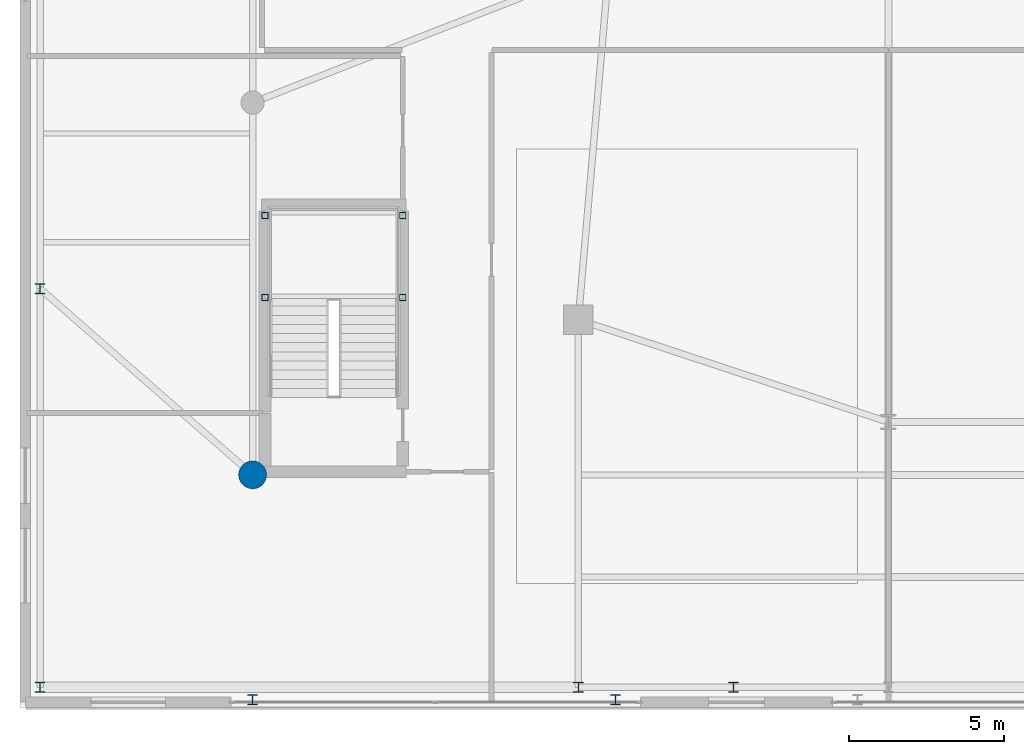
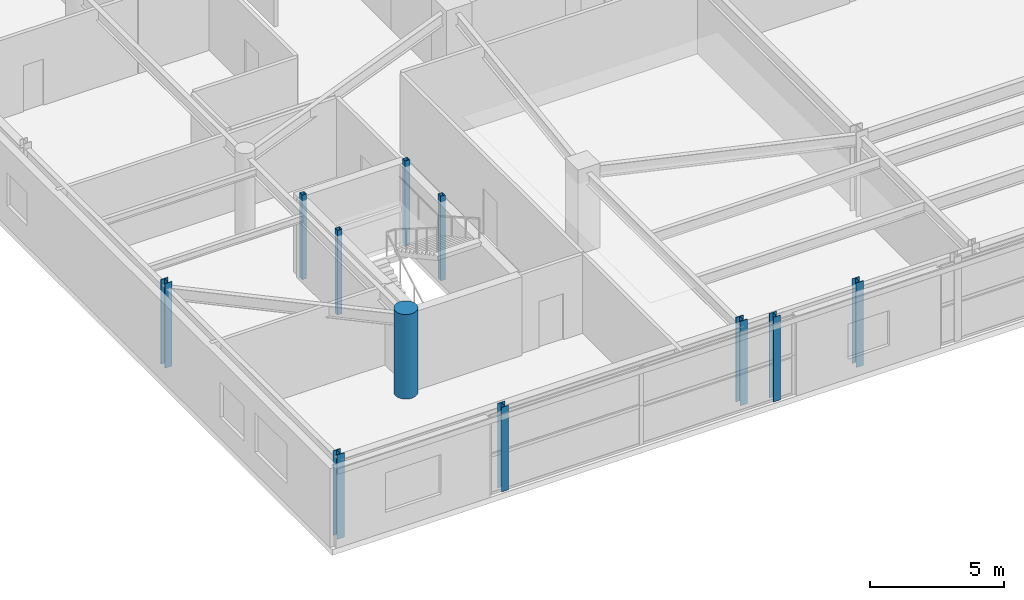
# One storey, part 1 of 26: 11 columns.
"""IFC4 building model written with IfcOpenShell, lengths in metres."""

from ifc_helpers import new_model, si_unit, direction, frame, origin, origin_2d, place, context, subcontext, project, spatial, hollow_rectangle, circle, i_section, extrude, source, transform, mapped, material, material_profile, profile_set, type_object, element, save


model = new_model("IFC4")

# Units and contexts
model_context = context("Model", 3, precision=1e-05, world=origin(), true_north=direction((0.0, 1.0)))
body_context = subcontext(model_context, "Body", "Model", "MODEL_VIEW")
ifc_project = project(units=[si_unit("LENGTHUNIT", "METRE"), si_unit("AREAUNIT", "SQUARE_METRE"), si_unit("VOLUMEUNIT", "CUBIC_METRE"), si_unit("PLANEANGLEUNIT", "RADIAN"), si_unit("MASSUNIT", "GRAM", prefix="KILO")], contexts=[model_context])

# Site, building, storey
site_placement = place(None, origin())
site = spatial("IfcSite", under=ifc_project, at=site_placement, CompositionType="ELEMENT")
building_placement = place(site_placement, origin())
building = spatial("IfcBuilding", under=site, at=building_placement, Name="Taldren Reach Tower", CompositionType="ELEMENT")
storey_placement = place(building_placement, frame((0.0, 0.0, 4.550048828125)))
storey = spatial("IfcBuildingStorey", under=building, at=storey_placement, Name="L01", CompositionType="ELEMENT", Elevation=4.550048828125)

# Columns
ifc_material_1 = material(Name="Concrete S80 (80 MPa)", Category="concrete")
ifc_material_profile_1 = material_profile(ifc_material_1, circle(Radius=0.449951171875, at=origin_2d()), Name="RC-900D")
ifc_profile_set_1 = profile_set([ifc_material_profile_1], Name="Concrete S80 (80 MPa)")
column_type_1 = type_object("IfcColumnType", Name="COL-RCD900", PredefinedType="COLUMN", material=ifc_profile_set_1)
shared_shape_1 = source(origin(), body_context, "Body", "SweptSolid", [
    extrude(circle(Radius=0.449951171875, at=origin_2d()), origin(), (0.0, 0.0, 1.0), 3.849853515625),
])
column_placement = place(storey_placement, frame((7.5, 7.5, 0.0), z_axis=(0.0, 0.0, 1.0), x_axis=(1.0, 0.0, 0.0)))
element("IfcColumn", 1, at=column_placement, inside=storey, type_object=column_type_1, Name="Podium structural column PG-1 L01", PredefinedType="COLUMN", context=body_context, shape_type="MappedRepresentation", body=[
    mapped(shared_shape_1, transform((0.0, 0.0, 0.0), scale=1.0)),
])
ifc_material_2 = material(Name="Steel Gr 350 (350PLUS)", Category="steel")
ifc_material_profile_2 = material_profile(ifc_material_2, i_section(OverallWidth=0.31103515625, OverallDepth=0.326904296875, WebThickness=0.015625, FlangeThickness=0.02490234375, at=origin_2d()), Name="310UC158")
ifc_profile_set_2 = profile_set([ifc_material_profile_2], Name="Steel Gr 350 (350PLUS)")
column_type_2 = type_object("IfcColumnType", Name="COL-UC310A", PredefinedType="COLUMN", material=ifc_profile_set_2)
shared_shape_2 = source(origin(), body_context, "Body", "SweptSolid", [
    extrude(i_section(OverallWidth=0.31103515625, OverallDepth=0.326904296875, WebThickness=0.015625, FlangeThickness=0.02490234375, at=origin_2d()), origin(), (0.0, 0.0, 1.0), 3.849853515625),
])
for number, where, z_axis, x_axis, name in (
    (2, (0.64990234375, 0.64990234375, 0.0), (0.0, 0.0, 1.0), (1.0, 0.0, 0.0), "Podium structural column PP-W1 L01"),
    (3, (0.64990234375, 13.5, 0.0), (0.0, 0.0, 1.0), (1.0, 0.0, 0.0), "Podium structural column PP-W2 L01"),
    (4, (18.0, 0.64990234375, 0.0), (0.0, 0.0, 1.0), (1.0, 0.0, 0.0), "Podium structural column PP-S1 L01"),
    (5, (23.0, 0.64990234375, 0.0), (0.0, 0.0, 1.0), (1.0, 0.0, 0.0), "Podium structural column PP-S2 L01"),
):
    element("IfcColumn", number, at=place(storey_placement, frame(where, z_axis=z_axis, x_axis=x_axis)), inside=storey, type_object=column_type_2, Name=name, PredefinedType="COLUMN", context=body_context, shape_type="MappedRepresentation", body=[
        mapped(shared_shape_2, transform((0.0, 0.0, 0.0), scale=1.0)),
    ])
ifc_material_3 = material(Name="Steel Gr 350 (C350L0)", Category="steel")
ifc_material_profile_3 = material_profile(ifc_material_3, hollow_rectangle(XDim=0.199951171875, YDim=0.199951171875, WallThickness=0.009033203125, at=origin_2d()), Name="200x200x9.0SHS")
ifc_profile_set_3 = profile_set([ifc_material_profile_3], Name="Steel Gr 350 (C350L0)")
column_type_3 = type_object("IfcColumnType", Name="COL-SHS200", PredefinedType="COLUMN", material=ifc_profile_set_3)
shared_shape_3 = source(origin(), body_context, "Body", "SweptSolid", [
    extrude(hollow_rectangle(XDim=0.199951171875, YDim=0.199951171875, WallThickness=0.009033203125, at=origin_2d()), origin(), (0.0, 0.0, 1.0), 3.849853515625),
])
for number, where, z_axis, x_axis, name in (
    (6, (7.89990234375, 13.215087890625, 0.0), (0.0, 0.0, 1.0), (1.0, 0.0, 0.0), "Podium stair ST3 structural post 1 L01"),
    (7, (12.340087890625, 13.215087890625, 0.0), (0.0, 0.0, 1.0), (1.0, 0.0, 0.0), "Podium stair ST3 structural post 2 L01"),
    (8, (7.89990234375, 15.860107421875, 0.0), (0.0, 0.0, 1.0), (1.0, 0.0, 0.0), "Podium stair ST3 structural post 3 L01"),
    (9, (12.340087890625, 15.860107421875, 0.0), (0.0, 0.0, 1.0), (1.0, 0.0, 0.0), "Podium stair ST3 structural post 4 L01"),
):
    element("IfcColumn", number, at=place(storey_placement, frame(where, z_axis=z_axis, x_axis=x_axis)), inside=storey, type_object=column_type_3, Name=name, PredefinedType="COLUMN", context=body_context, shape_type="MappedRepresentation", body=[
        mapped(shared_shape_3, transform((0.0, 0.0, 0.0), scale=1.0)),
    ])
ifc_material_profile_4 = material_profile(ifc_material_2, i_section(OverallWidth=0.306884765625, OverallDepth=0.31494140625, WebThickness=0.011962890625, FlangeThickness=0.018798828125, at=origin_2d()), Name="310UC118")
ifc_profile_set_4 = profile_set([ifc_material_profile_4], Name="Steel Gr 350 (350PLUS)")
column_type_4 = type_object("IfcColumnType", Name="PIL-UC310", PredefinedType="PILASTER", material=ifc_profile_set_4)
shared_shape_4 = source(origin(), body_context, "Body", "SweptSolid", [
    extrude(i_section(OverallWidth=0.306884765625, OverallDepth=0.31494140625, WebThickness=0.011962890625, FlangeThickness=0.018798828125, at=origin_2d()), origin(), (0.0, 0.0, 1.0), 3.849853515625),
])
for number, where, z_axis, x_axis, name in (
    (10, (7.5, 0.25, 0.0), (0.0, 0.0, 1.0), (1.0, 0.0, 0.0), "Waterfront colonnade pilaster S-7.5 L01"),
    (11, (19.199951171875, 0.25, 0.0), (0.0, 0.0, 1.0), (1.0, 0.0, 0.0), "Waterfront colonnade pilaster S-19.2 L01"),
):
    element("IfcColumn", number, at=place(storey_placement, frame(where, z_axis=z_axis, x_axis=x_axis)), inside=storey, type_object=column_type_4, Name=name, PredefinedType="PILASTER", context=body_context, shape_type="MappedRepresentation", body=[
        mapped(shared_shape_4, transform((0.0, 0.0, 0.0), scale=1.0)),
    ])

save(model, "model.ifc")
